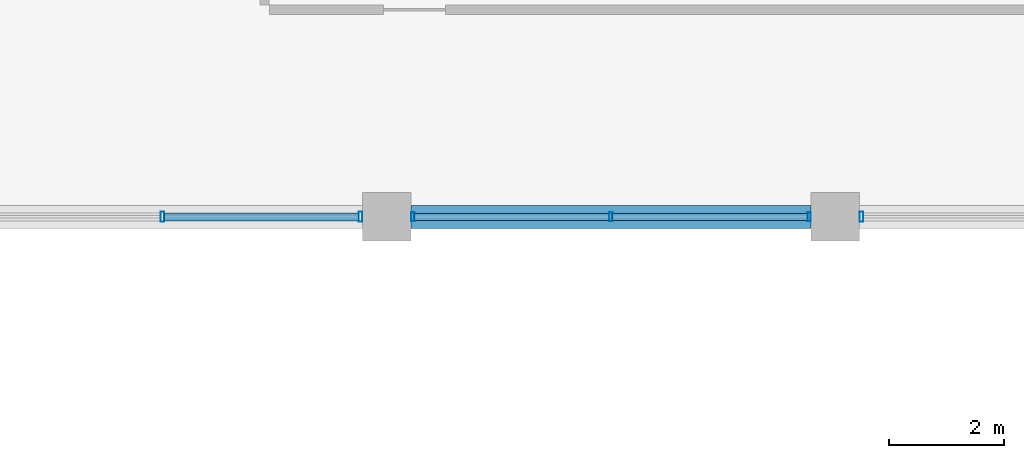
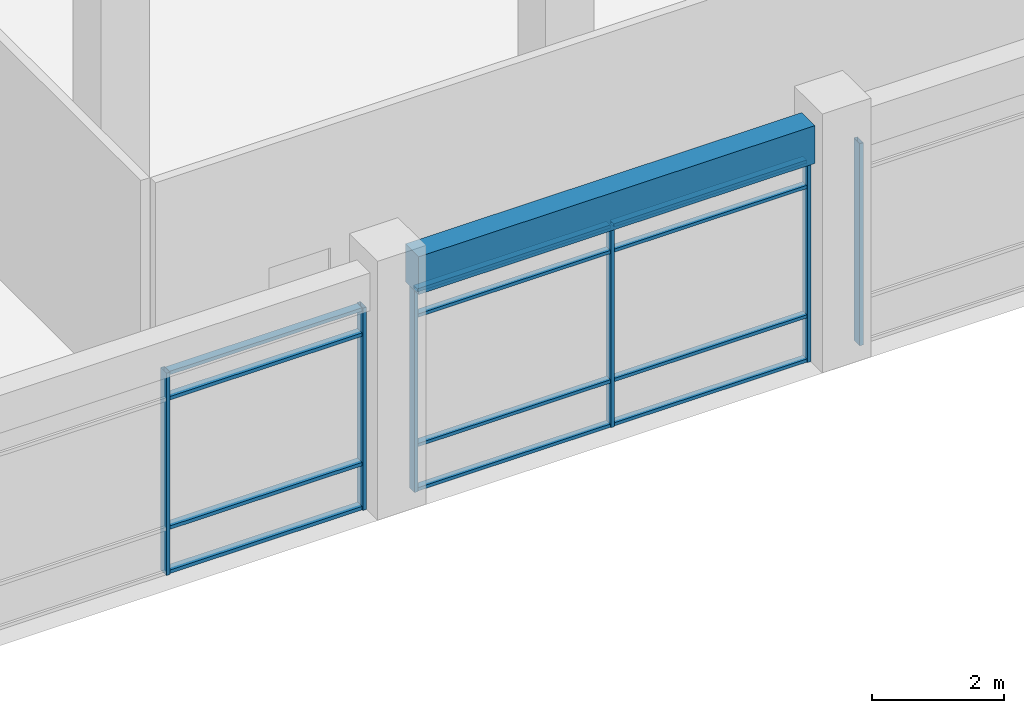
# One storey, part 29 of 79: 18 members, 1 beam, 3 elements without a shape of their own.
"""IFC4 building model written with IfcOpenShell, lengths in metres."""

from ifc_helpers import new_model, si_unit, direction, frame, origin, origin_2d, place, context, subcontext, project, spatial, rectangle, hollow_rectangle, extrude, material, material_profile, profile_set, type_object, element, aggregate, save


model = new_model("IFC4")

# Units and contexts
model_context = context("Model", 3, precision=1e-05, world=origin(), true_north=direction((0.0, 1.0)))
body_context = subcontext(model_context, "Body", "Model", "MODEL_VIEW")
ifc_project = project(units=[si_unit("LENGTHUNIT", "METRE"), si_unit("AREAUNIT", "SQUARE_METRE"), si_unit("VOLUMEUNIT", "CUBIC_METRE"), si_unit("PLANEANGLEUNIT", "RADIAN"), si_unit("MASSUNIT", "GRAM", prefix="KILO"), si_unit("THERMODYNAMICTEMPERATUREUNIT", "KELVIN"), si_unit("POWERUNIT", "WATT")], contexts=[model_context])

# Site, building, storey
site_placement = place(None, origin())
site = spatial("IfcSite", under=ifc_project, at=site_placement, CompositionType="ELEMENT")
building_placement = place(site_placement, origin())
building = spatial("IfcBuilding", under=site, at=building_placement, Name="Srebrne Nadtorze General Hospital", CompositionType="ELEMENT")
storey_placement = place(building_placement, frame((0.0, 0.0, 4.800048828125)))
storey = spatial("IfcBuildingStorey", under=building, at=storey_placement, Name="L01", CompositionType="ELEMENT", Elevation=4.800048828125)

# Curtain wall, members
ifc_material_1 = material(Name="Anodised Aluminium", Category="aluminium")
curtain_wall_type_1 = type_object("IfcCurtainWallType", Name="Unitised curtain wall 6950x3750", PredefinedType="NOTDEFINED", material=ifc_material_1)
curtain_wall_1_placement = place(storey_placement, origin())
curtain_wall_1 = element("IfcCurtainWall", 1, at=curtain_wall_1_placement, inside=storey, type_object=curtain_wall_type_1, Name="Curtain wall CW-054", PredefinedType="NOTDEFINED")
ifc_material_2 = material(Name="Anodised Aluminium", Category="aluminium")
ifc_material_profile_1 = material_profile(ifc_material_2, hollow_rectangle(XDim=0.06005859375, YDim=0.14990234375, WallThickness=0.00390625, at=origin_2d()), Name="AL-MUL-60x150")
ifc_profile_set_1 = profile_set([ifc_material_profile_1], Name="Anodised Aluminium")
member_type_1 = type_object("IfcMemberType", Name="Curtain mullion 60x150", PredefinedType="MULLION", material=ifc_profile_set_1)
member_1_placement = place(storey_placement, frame((86.2548828125, 50.39990234375, 0.0), z_axis=(0.0, 0.0, 1.0), x_axis=(1.0, 0.0, 0.0)))
member_1 = element("IfcMember", 2, at=member_1_placement, type_object=member_type_1, Name="CW-054 mullion 1", PredefinedType="MULLION", context=body_context, shape_type="SweptSolid", body=[
    extrude(hollow_rectangle(XDim=0.06005859375, YDim=0.14990234375, WallThickness=0.00390625, at=origin_2d()), origin(), (0.0, 0.0, 1.0), 3.75),
])
member_2_placement = place(storey_placement, frame((89.699951171875, 50.39990234375, 0.0), z_axis=(0.0, 0.0, 1.0), x_axis=(1.0, 0.0, 0.0)))
member_2 = element("IfcMember", 3, at=member_2_placement, type_object=member_type_1, Name="CW-054 mullion 2", PredefinedType="MULLION", context=body_context, shape_type="SweptSolid", body=[
    extrude(hollow_rectangle(XDim=0.06005859375, YDim=0.14990234375, WallThickness=0.00390625, at=origin_2d()), origin(), (0.0, 0.0, 1.0), 3.75),
])
member_3_placement = place(storey_placement, frame((93.14501953125, 50.39990234375, 0.0), z_axis=(0.0, 0.0, 1.0), x_axis=(1.0, 0.0, 0.0)))
member_3 = element("IfcMember", 4, at=member_3_placement, type_object=member_type_1, Name="CW-054 mullion 3", PredefinedType="MULLION", context=body_context, shape_type="SweptSolid", body=[
    extrude(hollow_rectangle(XDim=0.06005859375, YDim=0.14990234375, WallThickness=0.00390625, at=origin_2d()), origin(), (0.0, 0.0, 1.0), 3.75),
])

curtain_wall_2_placement = place(storey_placement, origin())
curtain_wall_2 = element("IfcCurtainWall", 5, at=curtain_wall_2_placement, inside=storey, type_object=curtain_wall_type_1, Name="Curtain wall CW-053", PredefinedType="NOTDEFINED")
ifc_material_3 = material(Name="Anodised Aluminium", Category="aluminium")
ifc_material_profile_2 = material_profile(ifc_material_3, hollow_rectangle(XDim=0.06494140625, YDim=0.179931640625, WallThickness=0.00390625, at=origin_2d()), Name="AL-MUL-65x180")
ifc_profile_set_2 = profile_set([ifc_material_profile_2], Name="Anodised Aluminium")
member_type_2 = type_object("IfcMemberType", Name="Curtain mullion 65x180", PredefinedType="MULLION", material=ifc_profile_set_2)
member_4_placement = place(storey_placement, frame((81.89990234375, 50.39990234375, 0.0), z_axis=(0.0, 0.0, 1.0), x_axis=(1.0, 0.0, 0.0)))
member_4 = element("IfcMember", 6, at=member_4_placement, type_object=member_type_2, Name="CW-053 mullion 2", PredefinedType="MULLION", context=body_context, shape_type="SweptSolid", body=[
    extrude(hollow_rectangle(XDim=0.06494140625, YDim=0.179931640625, WallThickness=0.00390625, at=origin_2d()), origin(), (0.0, 0.0, 1.0), 3.75),
])
member_5_placement = place(storey_placement, frame((85.342529296875, 50.39990234375, 0.0), z_axis=(0.0, 0.0, 1.0), x_axis=(1.0, 0.0, 0.0)))
member_5 = element("IfcMember", 7, at=member_5_placement, type_object=member_type_2, Name="CW-053 mullion 3", PredefinedType="MULLION", context=body_context, shape_type="SweptSolid", body=[
    extrude(hollow_rectangle(XDim=0.06494140625, YDim=0.179931640625, WallThickness=0.00390625, at=origin_2d()), origin(), (0.0, 0.0, 1.0), 3.75),
])

# Curtain wall, member
ifc_material_4 = material(Name="Anodised Aluminium", Category="aluminium")
curtain_wall_type_2 = type_object("IfcCurtainWallType", Name="Unitised curtain wall 6925x3750", PredefinedType="NOTDEFINED", material=ifc_material_4)
curtain_wall_3_placement = place(storey_placement, origin())
curtain_wall_3 = element("IfcCurtainWall", 8, at=curtain_wall_3_placement, inside=storey, type_object=curtain_wall_type_2, Name="Curtain wall CW-055", PredefinedType="NOTDEFINED")
member_6_placement = place(storey_placement, frame((94.0576171875, 50.39990234375, 0.0), z_axis=(0.0, 0.0, 1.0), x_axis=(1.0, 0.0, 0.0)))
member_6 = element("IfcMember", 9, at=member_6_placement, type_object=member_type_2, Name="CW-055 mullion 1", PredefinedType="MULLION", context=body_context, shape_type="SweptSolid", body=[
    extrude(hollow_rectangle(XDim=0.06494140625, YDim=0.179931640625, WallThickness=0.00390625, at=origin_2d()), origin(), (0.0, 0.0, 1.0), 3.75),
])
aggregate(curtain_wall_3, [member_6])

# Member
ifc_material_5 = material(Name="Anodised Aluminium", Category="aluminium")
ifc_material_profile_3 = material_profile(ifc_material_5, hollow_rectangle(XDim=0.06005859375, YDim=0.1201171875, WallThickness=0.00390625, at=origin_2d()), Name="AL-TRN-60x120")
ifc_profile_set_3 = profile_set([ifc_material_profile_3], Name="Anodised Aluminium")
member_type_3 = type_object("IfcMemberType", Name="Curtain transom 60x120", PredefinedType="USERDEFINED", material=ifc_profile_set_3)
member_7_placement = place(storey_placement, frame((86.284912109375, 50.39990234375, 0.030029296875), z_axis=(1.0, 0.0, 0.0), x_axis=(0.0, 0.0, 1.0)))
member_7 = element("IfcMember", 10, at=member_7_placement, type_object=member_type_3, Name="CW-054 transom 1.1", ObjectType="TRANSOM", PredefinedType="USERDEFINED", context=body_context, shape_type="SweptSolid", body=[
    extrude(hollow_rectangle(XDim=0.06005859375, YDim=0.1201171875, WallThickness=0.00390625, at=origin_2d()), origin(), (0.0, 0.0, 1.0), 3.385009765625),
])

member_8_placement = place(storey_placement, frame((86.284912109375, 50.39990234375, 0.849853515625), z_axis=(1.0, 0.0, 0.0), x_axis=(0.0, 0.0, 1.0)))
member_8 = element("IfcMember", 11, at=member_8_placement, type_object=member_type_3, Name="CW-054 transom 1.2", ObjectType="TRANSOM", PredefinedType="USERDEFINED", context=body_context, shape_type="SweptSolid", body=[
    extrude(hollow_rectangle(XDim=0.06005859375, YDim=0.1201171875, WallThickness=0.00390625, at=origin_2d()), origin(), (0.0, 0.0, 1.0), 3.385009765625),
])

member_9_placement = place(storey_placement, frame((86.284912109375, 50.39990234375, 3.25), z_axis=(1.0, 0.0, 0.0), x_axis=(0.0, 0.0, 1.0)))
member_9 = element("IfcMember", 12, at=member_9_placement, type_object=member_type_3, Name="CW-054 transom 1.3", ObjectType="TRANSOM", PredefinedType="USERDEFINED", context=body_context, shape_type="SweptSolid", body=[
    extrude(hollow_rectangle(XDim=0.06005859375, YDim=0.1201171875, WallThickness=0.00390625, at=origin_2d()), origin(), (0.0, 0.0, 1.0), 3.385009765625),
])

member_10_placement = place(storey_placement, frame((86.284912109375, 50.39990234375, 3.719970703125), z_axis=(1.0, 0.0, 0.0), x_axis=(0.0, 0.0, 1.0)))
member_10 = element("IfcMember", 13, at=member_10_placement, type_object=member_type_3, Name="CW-054 transom 1.4", ObjectType="TRANSOM", PredefinedType="USERDEFINED", context=body_context, shape_type="SweptSolid", body=[
    extrude(hollow_rectangle(XDim=0.06005859375, YDim=0.1201171875, WallThickness=0.00390625, at=origin_2d()), origin(), (0.0, 0.0, 1.0), 3.385009765625),
])

member_11_placement = place(storey_placement, frame((89.72998046875, 50.39990234375, 0.030029296875), z_axis=(1.0, 0.0, 0.0), x_axis=(0.0, 0.0, 1.0)))
member_11 = element("IfcMember", 14, at=member_11_placement, type_object=member_type_3, Name="CW-054 transom 2.1", ObjectType="TRANSOM", PredefinedType="USERDEFINED", context=body_context, shape_type="SweptSolid", body=[
    extrude(hollow_rectangle(XDim=0.06005859375, YDim=0.1201171875, WallThickness=0.00390625, at=origin_2d()), origin(), (0.0, 0.0, 1.0), 3.385009765625),
])

member_12_placement = place(storey_placement, frame((89.72998046875, 50.39990234375, 0.849853515625), z_axis=(1.0, 0.0, 0.0), x_axis=(0.0, 0.0, 1.0)))
member_12 = element("IfcMember", 15, at=member_12_placement, type_object=member_type_3, Name="CW-054 transom 2.2", ObjectType="TRANSOM", PredefinedType="USERDEFINED", context=body_context, shape_type="SweptSolid", body=[
    extrude(hollow_rectangle(XDim=0.06005859375, YDim=0.1201171875, WallThickness=0.00390625, at=origin_2d()), origin(), (0.0, 0.0, 1.0), 3.385009765625),
])

member_13_placement = place(storey_placement, frame((89.72998046875, 50.39990234375, 3.25), z_axis=(1.0, 0.0, 0.0), x_axis=(0.0, 0.0, 1.0)))
member_13 = element("IfcMember", 16, at=member_13_placement, type_object=member_type_3, Name="CW-054 transom 2.3", ObjectType="TRANSOM", PredefinedType="USERDEFINED", context=body_context, shape_type="SweptSolid", body=[
    extrude(hollow_rectangle(XDim=0.06005859375, YDim=0.1201171875, WallThickness=0.00390625, at=origin_2d()), origin(), (0.0, 0.0, 1.0), 3.385009765625),
])

member_14_placement = place(storey_placement, frame((89.72998046875, 50.39990234375, 3.719970703125), z_axis=(1.0, 0.0, 0.0), x_axis=(0.0, 0.0, 1.0)))
member_14 = element("IfcMember", 17, at=member_14_placement, type_object=member_type_3, Name="CW-054 transom 2.4", ObjectType="TRANSOM", PredefinedType="USERDEFINED", context=body_context, shape_type="SweptSolid", body=[
    extrude(hollow_rectangle(XDim=0.06005859375, YDim=0.1201171875, WallThickness=0.00390625, at=origin_2d()), origin(), (0.0, 0.0, 1.0), 3.385009765625),
])

aggregate(curtain_wall_1, [member_1, member_2, member_3, member_7, member_8, member_9, member_10, member_11, member_12, member_13, member_14])

ifc_material_6 = material(Name="Anodised Aluminium", Category="aluminium")
ifc_material_profile_4 = material_profile(ifc_material_6, hollow_rectangle(XDim=0.06494140625, YDim=0.139892578125, WallThickness=0.00390625, at=origin_2d()), Name="AL-TRN-65x140")
ifc_profile_set_4 = profile_set([ifc_material_profile_4], Name="Anodised Aluminium")
member_type_4 = type_object("IfcMemberType", Name="Curtain transom 65x140", PredefinedType="USERDEFINED", material=ifc_profile_set_4)
member_15_placement = place(storey_placement, frame((81.9326171875, 50.39990234375, 0.032470703125), z_axis=(1.0, 0.0, 0.0), x_axis=(0.0, 0.0, 1.0)))
member_15 = element("IfcMember", 18, at=member_15_placement, type_object=member_type_4, Name="CW-053 transom 2.1", ObjectType="TRANSOM", PredefinedType="USERDEFINED", context=body_context, shape_type="SweptSolid", body=[
    extrude(hollow_rectangle(XDim=0.06494140625, YDim=0.139892578125, WallThickness=0.00390625, at=origin_2d()), origin(), (0.0, 0.0, 1.0), 3.37744140625),
])

member_16_placement = place(storey_placement, frame((81.9326171875, 50.39990234375, 0.849853515625), z_axis=(1.0, 0.0, 0.0), x_axis=(0.0, 0.0, 1.0)))
member_16 = element("IfcMember", 19, at=member_16_placement, type_object=member_type_4, Name="CW-053 transom 2.2", ObjectType="TRANSOM", PredefinedType="USERDEFINED", context=body_context, shape_type="SweptSolid", body=[
    extrude(hollow_rectangle(XDim=0.06494140625, YDim=0.139892578125, WallThickness=0.00390625, at=origin_2d()), origin(), (0.0, 0.0, 1.0), 3.37744140625),
])

member_17_placement = place(storey_placement, frame((81.9326171875, 50.39990234375, 3.25), z_axis=(1.0, 0.0, 0.0), x_axis=(0.0, 0.0, 1.0)))
member_17 = element("IfcMember", 20, at=member_17_placement, type_object=member_type_4, Name="CW-053 transom 2.3", ObjectType="TRANSOM", PredefinedType="USERDEFINED", context=body_context, shape_type="SweptSolid", body=[
    extrude(hollow_rectangle(XDim=0.06494140625, YDim=0.139892578125, WallThickness=0.00390625, at=origin_2d()), origin(), (0.0, 0.0, 1.0), 3.37744140625),
])

member_18_placement = place(storey_placement, frame((81.9326171875, 50.39990234375, 3.717529296875), z_axis=(1.0, 0.0, 0.0), x_axis=(0.0, 0.0, 1.0)))
member_18 = element("IfcMember", 21, at=member_18_placement, type_object=member_type_4, Name="CW-053 transom 2.4", ObjectType="TRANSOM", PredefinedType="USERDEFINED", context=body_context, shape_type="SweptSolid", body=[
    extrude(hollow_rectangle(XDim=0.06494140625, YDim=0.139892578125, WallThickness=0.00390625, at=origin_2d()), origin(), (0.0, 0.0, 1.0), 3.37744140625),
])

aggregate(curtain_wall_2, [member_4, member_5, member_15, member_16, member_17, member_18])

# Beam
ifc_material_7 = material(Name="Concrete C40/50", Category="concrete")
ifc_material_profile_5 = material_profile(ifc_material_7, rectangle(XDim=0.39990234375, YDim=0.699951171875, at=origin_2d()), Name="RC-BM-400x700")
ifc_profile_set_5 = profile_set([ifc_material_profile_5], Name="Concrete C40/50")
beam_type = type_object("IfcBeamType", Name="Edge beam RC 400x700", PredefinedType="BEAM", material=ifc_profile_set_5)
beam_placement = place(storey_placement, frame((86.22509765625, 50.39990234375, 4.099853515625), z_axis=(1.0, 0.0, 0.0), x_axis=(0.0, 1.0, 0.0)))
element("IfcBeam", 22, at=beam_placement, inside=storey, type_object=beam_type, Name="Beam BM-L01-X-0416", PredefinedType="BEAM", context=body_context, shape_type="SweptSolid", body=[
    extrude(rectangle(XDim=0.39990234375, YDim=0.699951171875, at=origin_2d()), origin(), (0.0, 0.0, 1.0), 6.949951171875),
])

save(model, "model.ifc")
